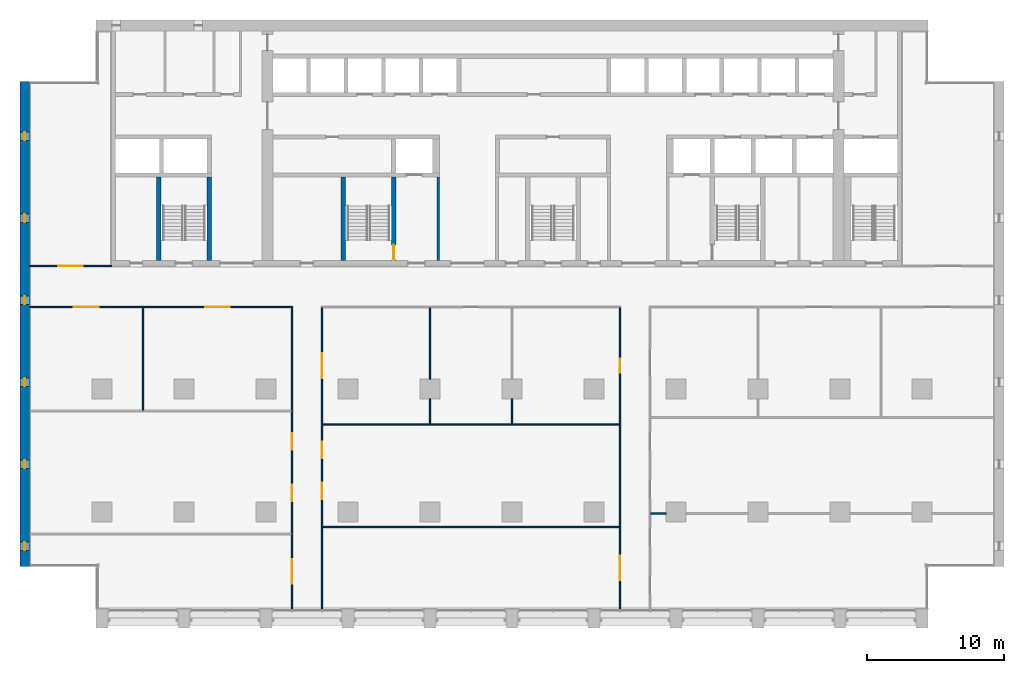
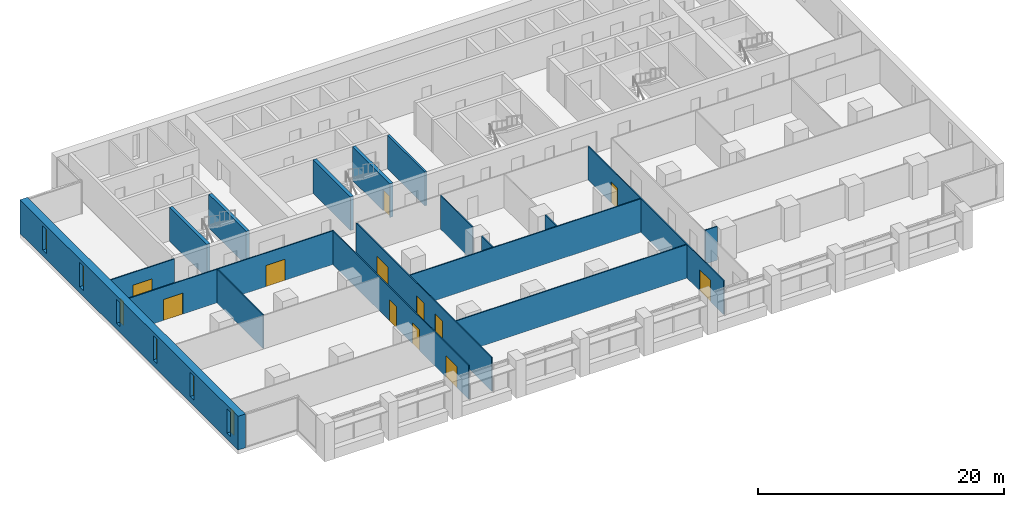
# One storey, part 8 of 17: 18 walls, 12 doors, 6 windows, 18 openings.
"""IFC4 building model written with IfcOpenShell, lengths in metres."""

from ifc_helpers import new_model, si_unit, direction, frame, frame_2d, origin, place, context, subcontext, project, spatial, rectangle, extrude, material, layer, layer_set, type_object, element, fill, save


model = new_model("IFC4")

# Units and contexts
model_context = context("Model", 3, precision=1e-05, world=origin(), true_north=direction((0.0, 1.0)))
body_context = subcontext(model_context, "Body", "Model", "MODEL_VIEW")
ifc_project = project(units=[si_unit("LENGTHUNIT", "METRE"), si_unit("AREAUNIT", "SQUARE_METRE"), si_unit("VOLUMEUNIT", "CUBIC_METRE"), si_unit("PLANEANGLEUNIT", "RADIAN"), si_unit("MASSUNIT", "GRAM", prefix="KILO")], contexts=[model_context])

# Site, building, storey
site_placement = place(None, origin())
site = spatial("IfcSite", under=ifc_project, at=site_placement, CompositionType="ELEMENT")
building_placement = place(site_placement, origin())
building = spatial("IfcBuilding", under=site, at=building_placement, Name="Calvaro Tower", CompositionType="ELEMENT")
storey_placement = place(building_placement, frame((0.0, 0.0, 98.75)))
storey = spatial("IfcBuildingStorey", under=building, at=storey_placement, Name="L24", CompositionType="ELEMENT", Elevation=98.75)

# Walls
ifc_material_1 = material(Name="Blockwork partition", Category="masonry")
ifc_layer_1 = layer(ifc_material_1, 0.199951171875)
ifc_layer_set_1 = layer_set([ifc_layer_1], Name="Blockwork partition")
wall_type_1 = type_object("IfcWallType", Name="Core partition 200 REI 120", PredefinedType="PARTITIONING", material=ifc_layer_set_1)
wall_1_placement = place(storey_placement, frame((30.60009765625, 28.39990234375, 0.0), z_axis=(0.0, 0.0, 1.0), x_axis=(0.0, 1.0, 0.0)))
element("IfcWall", 1, at=wall_1_placement, inside=storey, type_object=wall_type_1, Name="Core partition", PredefinedType="PARTITIONING", context=body_context, shape_type="SweptSolid", body=[
    extrude(rectangle(XDim=6.10009765625, YDim=0.199951171875, at=frame_2d((3.050048828125, 0.0))), origin(), (0.0, 0.0, 1.0), 3.35009765625),
])
ifc_material_2 = material(Name="Concrete C60/75", Category="concrete")
ifc_layer_2 = layer(ifc_material_2, 0.300048828125)
ifc_layer_set_2 = layer_set([ifc_layer_2], Name="Concrete C60/75")
wall_type_2 = type_object("IfcWallType", Name="Core wall C60/75 300", PredefinedType="SHEAR", material=ifc_layer_set_2)
for number, where, z_axis, x_axis, name in (
    (2, (10.14990234375, 28.39990234375, 0.0), (0.0, 0.0, 1.0), (0.0, 1.0, 0.0), "Core wall, stair enclosure"),
    (3, (13.85009765625, 28.39990234375, 0.0), (0.0, 0.0, 1.0), (0.0, 1.0, 0.0), "Core wall, stair enclosure"),
    (4, (23.64990234375, 28.39990234375, 0.0), (0.0, 0.0, 1.0), (0.0, 1.0, 0.0), "Core wall, stair enclosure"),
):
    element("IfcWall", number, at=place(storey_placement, frame(where, z_axis=z_axis, x_axis=x_axis)), inside=storey, type_object=wall_type_2, Name=name, PredefinedType="SHEAR", context=body_context, shape_type="SweptSolid", body=[
        extrude(rectangle(XDim=6.10009765625, YDim=0.300048828125, at=frame_2d((3.050048828125, 0.0))), origin(), (0.0, 0.0, 1.0), 3.35009765625),
    ])

# Wall, opening, door
wall_2_placement = place(storey_placement, frame((27.35009765625, 28.39990234375, 0.0), z_axis=(0.0, 0.0, 1.0), x_axis=(0.0, 1.0, 0.0)))
wall_2 = element("IfcWall", 5, at=wall_2_placement, inside=storey, type_object=wall_type_2, Name="Core wall, stair enclosure", PredefinedType="SHEAR", context=body_context, shape_type="SweptSolid", body=[
    extrude(rectangle(XDim=6.10009765625, YDim=0.300048828125, at=frame_2d((3.050048828125, 0.0))), origin(), (0.0, 0.0, 1.0), 3.35009765625),
])
opening_1_placement = place(wall_2_placement, frame((0.050048828125, 0.0, 0.0)))
opening_1 = element("IfcOpeningElement", 6, at=opening_1_placement, cuts=wall_2, Name="Opening FD11D", PredefinedType="OPENING", context=body_context, shape_type="SweptSolid", body=[
    extrude(rectangle(XDim=1.10009765625, YDim=2.10009765625, at=frame_2d((0.550048828125, 1.050048828125))), frame((0.0, 0.159912109375, 0.0), z_axis=(0.0, -1.0, 0.0), x_axis=(1.0, 0.0, 0.0)), (0.0, 0.0, 1.0), 0.320068359375),
])
ifc_material_3 = material(Name="Steel door set", Category="steel")
door_type_1 = type_object("IfcDoorType", Name="Fire door 1100 FD30S", OperationType="SINGLE_SWING_LEFT", PredefinedType="DOOR", material=ifc_material_3)
door_1_placement = place(opening_1_placement, origin())
door_1 = element("IfcDoor", 7, at=door_1_placement, inside=storey, type_object=door_type_1, Name="Fire door", OperationType="SINGLE_SWING_LEFT", OverallHeight=2.10009765625, OverallWidth=1.10009765625, PredefinedType="DOOR", context=body_context, shape_type="SweptSolid", body=[
    extrude(rectangle(XDim=1.10009765625, YDim=2.10009765625, at=frame_2d((0.550048828125, 1.050048828125))), frame((0.0, 0.02490234375, 0.0), z_axis=(0.0, -1.0, 0.0), x_axis=(1.0, 0.0, 0.0)), (0.0, 0.0, 1.0), 0.050048828125),
])
fill(opening_1, door_1)

# Wall, openings, windows
ifc_material_4 = material(Name="Concrete C60/75", Category="concrete")
ifc_layer_3 = layer(ifc_material_4, 0.699951171875)
ifc_layer_set_3 = layer_set([ifc_layer_3], Name="Concrete C60/75")
wall_type_3 = type_object("IfcWallType", Name="End wall 700 C60/75", PredefinedType="SHEAR", material=ifc_layer_set_3)
wall_3_placement = place(storey_placement, frame((0.35009765625, 6.0, 0.0), z_axis=(0.0, 0.0, 1.0), x_axis=(0.0, 1.0, 0.0)))
wall_3 = element("IfcWall", 8, at=wall_3_placement, inside=storey, type_object=wall_type_3, Name="End shear wall", PredefinedType="SHEAR", context=body_context, shape_type="SweptSolid", body=[
    extrude(rectangle(XDim=35.5, YDim=0.699951171875, at=frame_2d((17.75, 0.0))), origin(), (0.0, 0.0, 1.0), 3.35009765625),
])
opening_2_placement = place(wall_3_placement, frame((1.199951171875, 0.0, 0.60009765625)))
opening_2 = element("IfcOpeningElement", 9, at=opening_2_placement, cuts=wall_3, Name="Opening WW01", PredefinedType="OPENING", context=body_context, shape_type="SweptSolid", body=[
    extrude(rectangle(XDim=0.60009765625, YDim=2.39990234375, at=frame_2d((0.300048828125, 1.199951171875))), frame((0.0, 0.35986328125, 0.0), z_axis=(0.0, -1.0, 0.0), x_axis=(1.0, 0.0, 0.0)), (0.0, 0.0, 1.0), 0.719970703125),
])
opening_3_placement = place(wall_3_placement, frame((7.199951171875, 0.0, 0.60009765625)))
opening_3 = element("IfcOpeningElement", 10, at=opening_3_placement, cuts=wall_3, Name="Opening WW02", PredefinedType="OPENING", context=body_context, shape_type="SweptSolid", body=[
    extrude(rectangle(XDim=0.60009765625, YDim=2.39990234375, at=frame_2d((0.300048828125, 1.199951171875))), frame((0.0, 0.35986328125, 0.0), z_axis=(0.0, -1.0, 0.0), x_axis=(1.0, 0.0, 0.0)), (0.0, 0.0, 1.0), 0.719970703125),
])
opening_4_placement = place(wall_3_placement, frame((13.199951171875, 0.0, 0.60009765625)))
opening_4 = element("IfcOpeningElement", 11, at=opening_4_placement, cuts=wall_3, Name="Opening WW03", PredefinedType="OPENING", context=body_context, shape_type="SweptSolid", body=[
    extrude(rectangle(XDim=0.60009765625, YDim=2.39990234375, at=frame_2d((0.300048828125, 1.199951171875))), frame((0.0, 0.35986328125, 0.0), z_axis=(0.0, -1.0, 0.0), x_axis=(1.0, 0.0, 0.0)), (0.0, 0.0, 1.0), 0.719970703125),
])
opening_5_placement = place(wall_3_placement, frame((19.199951171875, 0.0, 0.60009765625)))
opening_5 = element("IfcOpeningElement", 12, at=opening_5_placement, cuts=wall_3, Name="Opening WW04", PredefinedType="OPENING", context=body_context, shape_type="SweptSolid", body=[
    extrude(rectangle(XDim=0.60009765625, YDim=2.39990234375, at=frame_2d((0.300048828125, 1.199951171875))), frame((0.0, 0.35986328125, 0.0), z_axis=(0.0, -1.0, 0.0), x_axis=(1.0, 0.0, 0.0)), (0.0, 0.0, 1.0), 0.719970703125),
])
opening_6_placement = place(wall_3_placement, frame((25.199951171875, 0.0, 0.60009765625)))
opening_6 = element("IfcOpeningElement", 13, at=opening_6_placement, cuts=wall_3, Name="Opening WW05", PredefinedType="OPENING", context=body_context, shape_type="SweptSolid", body=[
    extrude(rectangle(XDim=0.60009765625, YDim=2.39990234375, at=frame_2d((0.300048828125, 1.199951171875))), frame((0.0, 0.35986328125, 0.0), z_axis=(0.0, -1.0, 0.0), x_axis=(1.0, 0.0, 0.0)), (0.0, 0.0, 1.0), 0.719970703125),
])
opening_7_placement = place(wall_3_placement, frame((31.199951171875, 0.0, 0.60009765625)))
opening_7 = element("IfcOpeningElement", 14, at=opening_7_placement, cuts=wall_3, Name="Opening WW06", PredefinedType="OPENING", context=body_context, shape_type="SweptSolid", body=[
    extrude(rectangle(XDim=0.60009765625, YDim=2.39990234375, at=frame_2d((0.300048828125, 1.199951171875))), frame((0.0, 0.35986328125, 0.0), z_axis=(0.0, -1.0, 0.0), x_axis=(1.0, 0.0, 0.0)), (0.0, 0.0, 1.0), 0.719970703125),
])
ifc_material_5 = material(Name="Glass", Category="glass")
window_type = type_object("IfcWindowType", Name="Slit window 600 x 2400", PartitioningType="SINGLE_PANEL", PredefinedType="WINDOW", material=ifc_material_5)
window_1_placement = place(opening_2_placement, origin())
window_1 = element("IfcWindow", 15, at=window_1_placement, inside=storey, type_object=window_type, Name="Window WW01", OverallHeight=2.39990234375, OverallWidth=0.60009765625, PartitioningType="SINGLE_PANEL", PredefinedType="WINDOW", context=body_context, shape_type="SweptSolid", body=[
    extrude(rectangle(XDim=0.60009765625, YDim=2.39990234375, at=frame_2d((0.300048828125, 1.199951171875))), frame((0.0, 0.030029296875, 0.0), z_axis=(0.0, -1.0, 0.0), x_axis=(1.0, 0.0, 0.0)), (0.0, 0.0, 1.0), 0.06005859375),
])
fill(opening_2, window_1)
window_2_placement = place(opening_3_placement, origin())
window_2 = element("IfcWindow", 16, at=window_2_placement, inside=storey, type_object=window_type, Name="Window WW02", OverallHeight=2.39990234375, OverallWidth=0.60009765625, PartitioningType="SINGLE_PANEL", PredefinedType="WINDOW", context=body_context, shape_type="SweptSolid", body=[
    extrude(rectangle(XDim=0.60009765625, YDim=2.39990234375, at=frame_2d((0.300048828125, 1.199951171875))), frame((0.0, 0.030029296875, 0.0), z_axis=(0.0, -1.0, 0.0), x_axis=(1.0, 0.0, 0.0)), (0.0, 0.0, 1.0), 0.06005859375),
])
fill(opening_3, window_2)
window_3_placement = place(opening_4_placement, origin())
window_3 = element("IfcWindow", 17, at=window_3_placement, inside=storey, type_object=window_type, Name="Window WW03", OverallHeight=2.39990234375, OverallWidth=0.60009765625, PartitioningType="SINGLE_PANEL", PredefinedType="WINDOW", context=body_context, shape_type="SweptSolid", body=[
    extrude(rectangle(XDim=0.60009765625, YDim=2.39990234375, at=frame_2d((0.300048828125, 1.199951171875))), frame((0.0, 0.030029296875, 0.0), z_axis=(0.0, -1.0, 0.0), x_axis=(1.0, 0.0, 0.0)), (0.0, 0.0, 1.0), 0.06005859375),
])
fill(opening_4, window_3)
window_4_placement = place(opening_5_placement, origin())
window_4 = element("IfcWindow", 18, at=window_4_placement, inside=storey, type_object=window_type, Name="Window WW04", OverallHeight=2.39990234375, OverallWidth=0.60009765625, PartitioningType="SINGLE_PANEL", PredefinedType="WINDOW", context=body_context, shape_type="SweptSolid", body=[
    extrude(rectangle(XDim=0.60009765625, YDim=2.39990234375, at=frame_2d((0.300048828125, 1.199951171875))), frame((0.0, 0.030029296875, 0.0), z_axis=(0.0, -1.0, 0.0), x_axis=(1.0, 0.0, 0.0)), (0.0, 0.0, 1.0), 0.06005859375),
])
fill(opening_5, window_4)
window_5_placement = place(opening_6_placement, origin())
window_5 = element("IfcWindow", 19, at=window_5_placement, inside=storey, type_object=window_type, Name="Window WW05", OverallHeight=2.39990234375, OverallWidth=0.60009765625, PartitioningType="SINGLE_PANEL", PredefinedType="WINDOW", context=body_context, shape_type="SweptSolid", body=[
    extrude(rectangle(XDim=0.60009765625, YDim=2.39990234375, at=frame_2d((0.300048828125, 1.199951171875))), frame((0.0, 0.030029296875, 0.0), z_axis=(0.0, -1.0, 0.0), x_axis=(1.0, 0.0, 0.0)), (0.0, 0.0, 1.0), 0.06005859375),
])
fill(opening_6, window_5)
window_6_placement = place(opening_7_placement, origin())
window_6 = element("IfcWindow", 20, at=window_6_placement, inside=storey, type_object=window_type, Name="Window WW06", OverallHeight=2.39990234375, OverallWidth=0.60009765625, PartitioningType="SINGLE_PANEL", PredefinedType="WINDOW", context=body_context, shape_type="SweptSolid", body=[
    extrude(rectangle(XDim=0.60009765625, YDim=2.39990234375, at=frame_2d((0.300048828125, 1.199951171875))), frame((0.0, 0.030029296875, 0.0), z_axis=(0.0, -1.0, 0.0), x_axis=(1.0, 0.0, 0.0)), (0.0, 0.0, 1.0), 0.06005859375),
])
fill(opening_7, window_6)

# Walls
ifc_material_6 = material(Name="Plasterboard on steel studs", Category="steel")
ifc_layer_4 = layer(ifc_material_6, 0.10009765625)
ifc_layer_set_4 = layer_set([ifc_layer_4], Name="Plasterboard on steel studs")
wall_type_4 = type_object("IfcWallType", Name="Partition 100", PredefinedType="PARTITIONING", material=ifc_layer_set_4)
wall_4_placement = place(storey_placement, frame((22.14990234375, 8.89990234375, 0.0), z_axis=(0.0, 0.0, 1.0), x_axis=(1.0, 0.0, 0.0)))
element("IfcWall", 21, at=wall_4_placement, inside=storey, type_object=wall_type_4, Name="Partition T16.W002", PredefinedType="PARTITIONING", context=body_context, shape_type="SweptSolid", body=[
    extrude(rectangle(XDim=21.7001953125, YDim=0.10009765625, at=frame_2d((10.85009765625, 0.0))), origin(), (0.0, 0.0, 1.0), 3.35009765625),
])
wall_5_placement = place(storey_placement, frame((46.14990234375, 9.89990234375, 0.0), z_axis=(0.0, 0.0, 1.0), x_axis=(1.0, 0.0, 0.0)))
element("IfcWall", 22, at=wall_5_placement, inside=storey, type_object=wall_type_4, Name="Partition T16.W007", PredefinedType="PARTITIONING", context=body_context, shape_type="SweptSolid", body=[
    extrude(rectangle(XDim=1.125, YDim=0.10009765625, at=frame_2d((0.5625, 0.0))), origin(), (0.0, 0.0, 1.0), 3.35009765625),
])
wall_6_placement = place(storey_placement, frame((22.14990234375, 16.39990234375, 0.0), z_axis=(0.0, 0.0, 1.0), x_axis=(1.0, 0.0, 0.0)))
element("IfcWall", 23, at=wall_6_placement, inside=storey, type_object=wall_type_4, Name="Partition T16.W008", PredefinedType="PARTITIONING", context=body_context, shape_type="SweptSolid", body=[
    extrude(rectangle(XDim=21.7001953125, YDim=0.10009765625, at=frame_2d((10.85009765625, 0.0))), origin(), (0.0, 0.0, 1.0), 3.35009765625),
])

# Wall, openings, doors
wall_7_placement = place(storey_placement, frame((0.699951171875, 25.0, 0.0), z_axis=(0.0, 0.0, 1.0), x_axis=(1.0, 0.0, 0.0)))
wall_7 = element("IfcWall", 24, at=wall_7_placement, inside=storey, type_object=wall_type_4, Name="Partition T16.W011", PredefinedType="PARTITIONING", context=body_context, shape_type="SweptSolid", body=[
    extrude(rectangle(XDim=19.25, YDim=0.10009765625, at=frame_2d((9.625, 0.0))), origin(), (0.0, 0.0, 1.0), 3.35009765625),
])
opening_8_placement = place(wall_7_placement, frame((3.25, 0.0, 0.0)))
opening_8 = element("IfcOpeningElement", 25, at=opening_8_placement, cuts=wall_7, Name="Opening T16.017", PredefinedType="OPENING", context=body_context, shape_type="SweptSolid", body=[
    extrude(rectangle(XDim=1.800048828125, YDim=2.10009765625, at=frame_2d((0.89990234375, 1.050048828125))), frame((0.0, 0.06005859375, 0.0), z_axis=(0.0, -1.0, 0.0), x_axis=(1.0, 0.0, 0.0)), (0.0, 0.0, 1.0), 0.1201171875),
])
opening_9_placement = place(wall_7_placement, frame((12.85009765625, 0.0, 0.0)))
opening_9 = element("IfcOpeningElement", 26, at=opening_9_placement, cuts=wall_7, Name="Opening T16.018", PredefinedType="OPENING", context=body_context, shape_type="SweptSolid", body=[
    extrude(rectangle(XDim=1.800048828125, YDim=2.10009765625, at=frame_2d((0.89990234375, 1.050048828125))), frame((0.0, 0.06005859375, 0.0), z_axis=(0.0, -1.0, 0.0), x_axis=(1.0, 0.0, 0.0)), (0.0, 0.0, 1.0), 0.1201171875),
])
ifc_material_7 = material(Name="Timber", Category="wood")
door_type_2 = type_object("IfcDoorType", Name="Internal double door 1800 x 2100", OperationType="DOUBLE_DOOR_SINGLE_SWING", PredefinedType="DOOR", material=ifc_material_7)
door_2_placement = place(opening_8_placement, origin())
door_2 = element("IfcDoor", 27, at=door_2_placement, inside=storey, type_object=door_type_2, Name="Door T16.017", OperationType="DOUBLE_DOOR_SINGLE_SWING", OverallHeight=2.10009765625, OverallWidth=1.800048828125, PredefinedType="DOOR", context=body_context, shape_type="SweptSolid", body=[
    extrude(rectangle(XDim=1.800048828125, YDim=2.10009765625, at=frame_2d((0.89990234375, 1.050048828125))), frame((0.0, 0.02490234375, 0.0), z_axis=(0.0, -1.0, 0.0), x_axis=(1.0, 0.0, 0.0)), (0.0, 0.0, 1.0), 0.050048828125),
])
fill(opening_8, door_2)
door_3_placement = place(opening_9_placement, origin())
door_3 = element("IfcDoor", 28, at=door_3_placement, inside=storey, type_object=door_type_2, Name="Door T16.018", OperationType="DOUBLE_DOOR_SINGLE_SWING", OverallHeight=2.10009765625, OverallWidth=1.800048828125, PredefinedType="DOOR", context=body_context, shape_type="SweptSolid", body=[
    extrude(rectangle(XDim=1.800048828125, YDim=2.10009765625, at=frame_2d((0.89990234375, 1.050048828125))), frame((0.0, 0.02490234375, 0.0), z_axis=(0.0, -1.0, 0.0), x_axis=(1.0, 0.0, 0.0)), (0.0, 0.0, 1.0), 0.050048828125),
])
fill(opening_9, door_3)

# Wall, opening, door
wall_8_placement = place(storey_placement, frame((0.699951171875, 28.0, 0.0), z_axis=(0.0, 0.0, 1.0), x_axis=(1.0, 0.0, 0.0)))
wall_8 = element("IfcWall", 29, at=wall_8_placement, inside=storey, type_object=wall_type_4, Name="Partition T16.W014", PredefinedType="PARTITIONING", context=body_context, shape_type="SweptSolid", body=[
    extrude(rectangle(XDim=6.0, YDim=0.10009765625, at=frame_2d((3.0, 0.0))), origin(), (0.0, 0.0, 1.0), 3.35009765625),
])
opening_10_placement = place(wall_8_placement, frame((2.10009765625, 0.0, 0.0)))
opening_10 = element("IfcOpeningElement", 30, at=opening_10_placement, cuts=wall_8, Name="Opening T16.019", PredefinedType="OPENING", context=body_context, shape_type="SweptSolid", body=[
    extrude(rectangle(XDim=1.800048828125, YDim=2.10009765625, at=frame_2d((0.89990234375, 1.050048828125))), frame((0.0, 0.06005859375, 0.0), z_axis=(0.0, -1.0, 0.0), x_axis=(1.0, 0.0, 0.0)), (0.0, 0.0, 1.0), 0.1201171875),
])
door_4_placement = place(opening_10_placement, origin())
door_4 = element("IfcDoor", 31, at=door_4_placement, inside=storey, type_object=door_type_2, Name="Door T16.019", OperationType="DOUBLE_DOOR_SINGLE_SWING", OverallHeight=2.10009765625, OverallWidth=1.800048828125, PredefinedType="DOOR", context=body_context, shape_type="SweptSolid", body=[
    extrude(rectangle(XDim=1.800048828125, YDim=2.10009765625, at=frame_2d((0.89990234375, 1.050048828125))), frame((0.0, 0.02490234375, 0.0), z_axis=(0.0, -1.0, 0.0), x_axis=(1.0, 0.0, 0.0)), (0.0, 0.0, 1.0), 0.050048828125),
])
fill(opening_10, door_4)

# Wall
wall_9_placement = place(storey_placement, frame((9.0, 17.449951171875, 0.0), z_axis=(0.0, 0.0, 1.0), x_axis=(0.0, 1.0, 0.0)))
element("IfcWall", 32, at=wall_9_placement, inside=storey, type_object=wall_type_4, Name="Partition T16.W016", PredefinedType="PARTITIONING", context=body_context, shape_type="SweptSolid", body=[
    extrude(rectangle(XDim=7.5, YDim=0.10009765625, at=frame_2d((3.75, 0.0))), origin(), (0.0, 0.0, 1.0), 3.35009765625),
])

# Wall, openings, doors
wall_10_placement = place(storey_placement, frame((19.89990234375, 2.89990234375, 0.0), z_axis=(0.0, 0.0, 1.0), x_axis=(0.0, 1.0, 0.0)))
wall_10 = element("IfcWall", 33, at=wall_10_placement, inside=storey, type_object=wall_type_4, Name="Partition T16.W017", PredefinedType="PARTITIONING", context=body_context, shape_type="SweptSolid", body=[
    extrude(rectangle(XDim=22.050048828125, YDim=0.10009765625, at=frame_2d((11.02490234375, 0.0))), origin(), (0.0, 0.0, 1.0), 3.35009765625),
])
opening_11_placement = place(wall_10_placement, frame((1.85009765625, 0.0, 0.0)))
opening_11 = element("IfcOpeningElement", 34, at=opening_11_placement, cuts=wall_10, Name="Opening T16.001", PredefinedType="OPENING", context=body_context, shape_type="SweptSolid", body=[
    extrude(rectangle(XDim=1.800048828125, YDim=2.10009765625, at=frame_2d((0.89990234375, 1.050048828125))), frame((0.0, 0.06005859375, 0.0), z_axis=(0.0, -1.0, 0.0), x_axis=(1.0, 0.0, 0.0)), (0.0, 0.0, 1.0), 0.1201171875),
])
opening_12_placement = place(wall_10_placement, frame((7.89990234375, 0.0, 0.0)))
opening_12 = element("IfcOpeningElement", 35, at=opening_12_placement, cuts=wall_10, Name="Opening T16.007", PredefinedType="OPENING", context=body_context, shape_type="SweptSolid", body=[
    extrude(rectangle(XDim=1.199951171875, YDim=2.10009765625, at=frame_2d((0.60009765625, 1.050048828125))), frame((0.0, 0.06005859375, 0.0), z_axis=(0.0, -1.0, 0.0), x_axis=(1.0, 0.0, 0.0)), (0.0, 0.0, 1.0), 0.1201171875),
])
opening_13_placement = place(wall_10_placement, frame((11.64990234375, 0.0, 0.0)))
opening_13 = element("IfcOpeningElement", 36, at=opening_13_placement, cuts=wall_10, Name="Opening T16.008", PredefinedType="OPENING", context=body_context, shape_type="SweptSolid", body=[
    extrude(rectangle(XDim=1.199951171875, YDim=2.10009765625, at=frame_2d((0.60009765625, 1.050048828125))), frame((0.0, 0.06005859375, 0.0), z_axis=(0.0, -1.0, 0.0), x_axis=(1.0, 0.0, 0.0)), (0.0, 0.0, 1.0), 0.1201171875),
])
door_5_placement = place(opening_11_placement, origin())
door_5 = element("IfcDoor", 37, at=door_5_placement, inside=storey, type_object=door_type_2, Name="Door T16.001", OperationType="DOUBLE_DOOR_SINGLE_SWING", OverallHeight=2.10009765625, OverallWidth=1.800048828125, PredefinedType="DOOR", context=body_context, shape_type="SweptSolid", body=[
    extrude(rectangle(XDim=1.800048828125, YDim=2.10009765625, at=frame_2d((0.89990234375, 1.050048828125))), frame((0.0, 0.02490234375, 0.0), z_axis=(0.0, -1.0, 0.0), x_axis=(1.0, 0.0, 0.0)), (0.0, 0.0, 1.0), 0.050048828125),
])
fill(opening_11, door_5)
ifc_material_8 = material(Name="Timber", Category="wood")
door_type_3 = type_object("IfcDoorType", Name="Internal single door 1200 x 2100", OperationType="SINGLE_SWING_LEFT", PredefinedType="DOOR", material=ifc_material_8)
door_6_placement = place(opening_12_placement, origin())
door_6 = element("IfcDoor", 38, at=door_6_placement, inside=storey, type_object=door_type_3, Name="Door T16.007", OperationType="SINGLE_SWING_LEFT", OverallHeight=2.10009765625, OverallWidth=1.199951171875, PredefinedType="DOOR", context=body_context, shape_type="SweptSolid", body=[
    extrude(rectangle(XDim=1.199951171875, YDim=2.10009765625, at=frame_2d((0.60009765625, 1.050048828125))), frame((0.0, 0.02490234375, 0.0), z_axis=(0.0, -1.0, 0.0), x_axis=(1.0, 0.0, 0.0)), (0.0, 0.0, 1.0), 0.050048828125),
])
fill(opening_12, door_6)
door_7_placement = place(opening_13_placement, origin())
door_7 = element("IfcDoor", 39, at=door_7_placement, inside=storey, type_object=door_type_3, Name="Door T16.008", OperationType="SINGLE_SWING_RIGHT", OverallHeight=2.10009765625, OverallWidth=1.199951171875, PredefinedType="DOOR", context=body_context, shape_type="SweptSolid", body=[
    extrude(rectangle(XDim=1.199951171875, YDim=2.10009765625, at=frame_2d((0.60009765625, 1.050048828125))), frame((0.0, 0.02490234375, 0.0), z_axis=(0.0, -1.0, 0.0), x_axis=(1.0, 0.0, 0.0)), (0.0, 0.0, 1.0), 0.050048828125),
])
fill(opening_13, door_7)

wall_11_placement = place(storey_placement, frame((22.10009765625, 2.89990234375, 0.0), z_axis=(0.0, 0.0, 1.0), x_axis=(0.0, 1.0, 0.0)))
wall_11 = element("IfcWall", 40, at=wall_11_placement, inside=storey, type_object=wall_type_4, Name="Partition T16.W018", PredefinedType="PARTITIONING", context=body_context, shape_type="SweptSolid", body=[
    extrude(rectangle(XDim=22.050048828125, YDim=0.10009765625, at=frame_2d((11.02490234375, 0.0))), origin(), (0.0, 0.0, 1.0), 3.35009765625),
])
opening_14_placement = place(wall_11_placement, frame((8.02490234375, 0.0, 0.0)))
opening_14 = element("IfcOpeningElement", 41, at=opening_14_placement, cuts=wall_11, Name="Opening T16.005", PredefinedType="OPENING", context=body_context, shape_type="SweptSolid", body=[
    extrude(rectangle(XDim=1.199951171875, YDim=2.10009765625, at=frame_2d((0.60009765625, 1.050048828125))), frame((0.0, 0.06005859375, 0.0), z_axis=(0.0, -1.0, 0.0), x_axis=(1.0, 0.0, 0.0)), (0.0, 0.0, 1.0), 0.1201171875),
])
opening_15_placement = place(wall_11_placement, frame((11.02490234375, 0.0, 0.0)))
opening_15 = element("IfcOpeningElement", 42, at=opening_15_placement, cuts=wall_11, Name="Opening T16.006", PredefinedType="OPENING", context=body_context, shape_type="SweptSolid", body=[
    extrude(rectangle(XDim=1.199951171875, YDim=2.10009765625, at=frame_2d((0.60009765625, 1.050048828125))), frame((0.0, 0.06005859375, 0.0), z_axis=(0.0, -1.0, 0.0), x_axis=(1.0, 0.0, 0.0)), (0.0, 0.0, 1.0), 0.1201171875),
])
opening_16_placement = place(wall_11_placement, frame((16.89990234375, 0.0, 0.0)))
opening_16 = element("IfcOpeningElement", 43, at=opening_16_placement, cuts=wall_11, Name="Opening T16.011", PredefinedType="OPENING", context=body_context, shape_type="SweptSolid", body=[
    extrude(rectangle(XDim=1.800048828125, YDim=2.10009765625, at=frame_2d((0.89990234375, 1.050048828125))), frame((0.0, 0.06005859375, 0.0), z_axis=(0.0, -1.0, 0.0), x_axis=(1.0, 0.0, 0.0)), (0.0, 0.0, 1.0), 0.1201171875),
])
door_8_placement = place(opening_16_placement, origin())
door_8 = element("IfcDoor", 44, at=door_8_placement, inside=storey, type_object=door_type_2, Name="Door T16.011", OperationType="DOUBLE_DOOR_SINGLE_SWING", OverallHeight=2.10009765625, OverallWidth=1.800048828125, PredefinedType="DOOR", context=body_context, shape_type="SweptSolid", body=[
    extrude(rectangle(XDim=1.800048828125, YDim=2.10009765625, at=frame_2d((0.89990234375, 1.050048828125))), frame((0.0, 0.02490234375, 0.0), z_axis=(0.0, -1.0, 0.0), x_axis=(1.0, 0.0, 0.0)), (0.0, 0.0, 1.0), 0.050048828125),
])
fill(opening_16, door_8)
door_9_placement = place(opening_14_placement, origin())
door_9 = element("IfcDoor", 45, at=door_9_placement, inside=storey, type_object=door_type_3, Name="Door T16.005", OperationType="SINGLE_SWING_LEFT", OverallHeight=2.10009765625, OverallWidth=1.199951171875, PredefinedType="DOOR", context=body_context, shape_type="SweptSolid", body=[
    extrude(rectangle(XDim=1.199951171875, YDim=2.10009765625, at=frame_2d((0.60009765625, 1.050048828125))), frame((0.0, 0.02490234375, 0.0), z_axis=(0.0, -1.0, 0.0), x_axis=(1.0, 0.0, 0.0)), (0.0, 0.0, 1.0), 0.050048828125),
])
fill(opening_14, door_9)
door_10_placement = place(opening_15_placement, origin())
door_10 = element("IfcDoor", 46, at=door_10_placement, inside=storey, type_object=door_type_3, Name="Door T16.006", OperationType="SINGLE_SWING_RIGHT", OverallHeight=2.10009765625, OverallWidth=1.199951171875, PredefinedType="DOOR", context=body_context, shape_type="SweptSolid", body=[
    extrude(rectangle(XDim=1.199951171875, YDim=2.10009765625, at=frame_2d((0.60009765625, 1.050048828125))), frame((0.0, 0.02490234375, 0.0), z_axis=(0.0, -1.0, 0.0), x_axis=(1.0, 0.0, 0.0)), (0.0, 0.0, 1.0), 0.050048828125),
])
fill(opening_15, door_10)

# Walls
wall_12_placement = place(storey_placement, frame((30.0, 16.449951171875, 0.0), z_axis=(0.0, 0.0, 1.0), x_axis=(0.0, 1.0, 0.0)))
element("IfcWall", 47, at=wall_12_placement, inside=storey, type_object=wall_type_4, Name="Partition T16.W019", PredefinedType="PARTITIONING", context=body_context, shape_type="SweptSolid", body=[
    extrude(rectangle(XDim=1.824951171875, YDim=0.10009765625, at=frame_2d((0.91259765625, 0.0))), origin(), (0.0, 0.0, 1.0), 3.35009765625),
])
wall_13_placement = place(storey_placement, frame((30.0, 19.72509765625, 0.0), z_axis=(0.0, 0.0, 1.0), x_axis=(0.0, 1.0, 0.0)))
element("IfcWall", 48, at=wall_13_placement, inside=storey, type_object=wall_type_4, Name="Partition T16.W020", PredefinedType="PARTITIONING", context=body_context, shape_type="SweptSolid", body=[
    extrude(rectangle(XDim=5.224853515625, YDim=0.10009765625, at=frame_2d((2.6123046875, 0.0))), origin(), (0.0, 0.0, 1.0), 3.35009765625),
])
ifc_material_9 = material(Name="Plasterboard on steel studs", Category="steel")
ifc_layer_5 = layer(ifc_material_9, 0.10009765625)
ifc_layer_set_5 = layer_set([ifc_layer_5], Name="Plasterboard on steel studs")
wall_type_5 = type_object("IfcWallType", Name="Partition 100 REI 120", PredefinedType="PARTITIONING", material=ifc_layer_set_5)
wall_14_placement = place(storey_placement, frame((36.0, 16.449951171875, 0.0), z_axis=(0.0, 0.0, 1.0), x_axis=(0.0, 1.0, 0.0)))
element("IfcWall", 49, at=wall_14_placement, inside=storey, type_object=wall_type_5, Name="Partition T16.W021", PredefinedType="PARTITIONING", context=body_context, shape_type="SweptSolid", body=[
    extrude(rectangle(XDim=1.824951171875, YDim=0.10009765625, at=frame_2d((0.91259765625, 0.0))), origin(), (0.0, 0.0, 1.0), 3.35009765625),
])

# Wall, openings, doors
wall_15_placement = place(storey_placement, frame((43.89990234375, 2.89990234375, 0.0), z_axis=(0.0, 0.0, 1.0), x_axis=(0.0, 1.0, 0.0)))
wall_15 = element("IfcWall", 50, at=wall_15_placement, inside=storey, type_object=wall_type_5, Name="Partition T16.W023", PredefinedType="PARTITIONING", context=body_context, shape_type="SweptSolid", body=[
    extrude(rectangle(XDim=22.050048828125, YDim=0.10009765625, at=frame_2d((11.02490234375, 0.0))), origin(), (0.0, 0.0, 1.0), 3.35009765625),
])
opening_17_placement = place(wall_15_placement, frame((2.10009765625, 0.0, 0.0)))
opening_17 = element("IfcOpeningElement", 51, at=opening_17_placement, cuts=wall_15, Name="Opening T16.002", PredefinedType="OPENING", context=body_context, shape_type="SweptSolid", body=[
    extrude(rectangle(XDim=1.800048828125, YDim=2.10009765625, at=frame_2d((0.89990234375, 1.050048828125))), frame((0.0, 0.06005859375, 0.0), z_axis=(0.0, -1.0, 0.0), x_axis=(1.0, 0.0, 0.0)), (0.0, 0.0, 1.0), 0.1201171875),
])
opening_18_placement = place(wall_15_placement, frame((17.300048828125, 0.0, 0.0)))
opening_18 = element("IfcOpeningElement", 52, at=opening_18_placement, cuts=wall_15, Name="Opening T16.013", PredefinedType="OPENING", context=body_context, shape_type="SweptSolid", body=[
    extrude(rectangle(XDim=1.0, YDim=2.10009765625, at=frame_2d((0.5, 1.050048828125))), frame((0.0, 0.06005859375, 0.0), z_axis=(0.0, -1.0, 0.0), x_axis=(1.0, 0.0, 0.0)), (0.0, 0.0, 1.0), 0.1201171875),
])
door_11_placement = place(opening_17_placement, origin())
door_11 = element("IfcDoor", 53, at=door_11_placement, inside=storey, type_object=door_type_2, Name="Door T16.002", OperationType="DOUBLE_DOOR_SINGLE_SWING", OverallHeight=2.10009765625, OverallWidth=1.800048828125, PredefinedType="DOOR", context=body_context, shape_type="SweptSolid", body=[
    extrude(rectangle(XDim=1.800048828125, YDim=2.10009765625, at=frame_2d((0.89990234375, 1.050048828125))), frame((0.0, 0.02490234375, 0.0), z_axis=(0.0, -1.0, 0.0), x_axis=(1.0, 0.0, 0.0)), (0.0, 0.0, 1.0), 0.050048828125),
])
fill(opening_17, door_11)
ifc_material_10 = material(Name="Timber", Category="wood")
door_type_4 = type_object("IfcDoorType", Name="Internal single door 1000 x 2100 FD60", OperationType="SINGLE_SWING_LEFT", PredefinedType="DOOR", material=ifc_material_10)
door_12_placement = place(opening_18_placement, origin())
door_12 = element("IfcDoor", 54, at=door_12_placement, inside=storey, type_object=door_type_4, Name="Door T16.013", OperationType="SINGLE_SWING_RIGHT", OverallHeight=2.10009765625, OverallWidth=1.0, PredefinedType="DOOR", context=body_context, shape_type="SweptSolid", body=[
    extrude(rectangle(XDim=1.0, YDim=2.10009765625, at=frame_2d((0.5, 1.050048828125))), frame((0.0, 0.02490234375, 0.0), z_axis=(0.0, -1.0, 0.0), x_axis=(1.0, 0.0, 0.0)), (0.0, 0.0, 1.0), 0.050048828125),
])
fill(opening_18, door_12)

save(model, "model.ifc")
